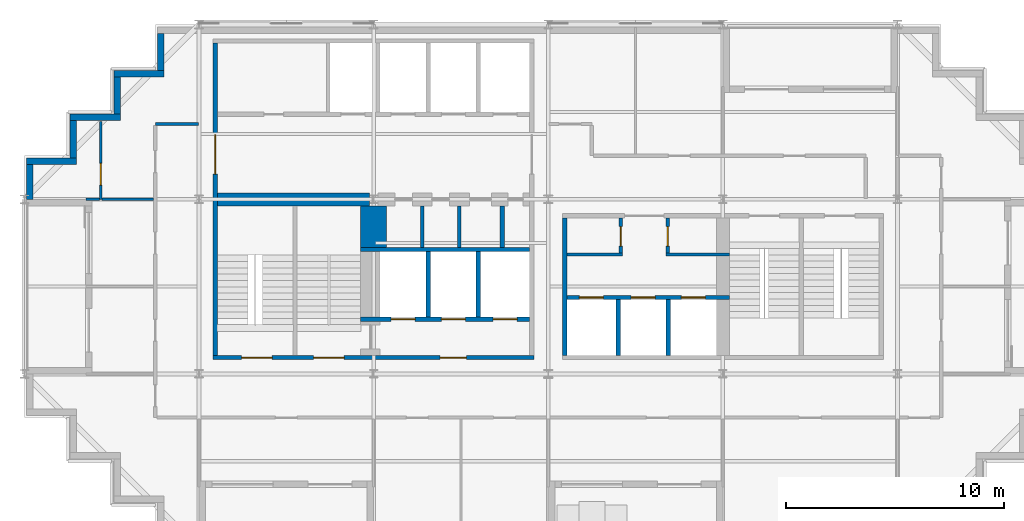
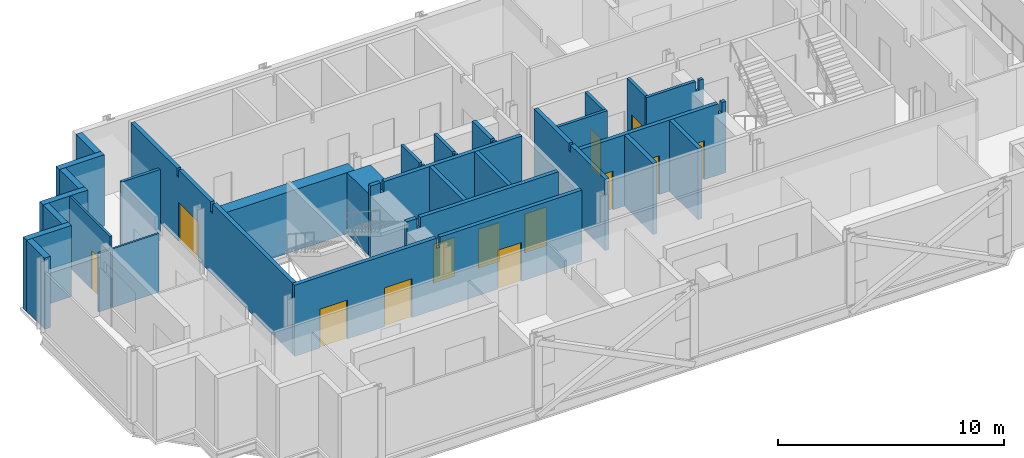
# One storey, part 5 of 10: 30 walls, 13 doors, 13 openings.
"""IFC4 building model written with IfcOpenShell, lengths in metres."""

from ifc_helpers import new_model, si_unit, direction, frame, frame_2d, origin, place, context, subcontext, project, spatial, polyline, rectangle, outline, extrude, material, layer, layer_set, type_object, element, fill, save


model = new_model("IFC4")

# Units and contexts
model_context = context("Model", 3, precision=1e-05, world=origin(), true_north=direction((0.0, 1.0)))
body_context = subcontext(model_context, "Body", "Model", "MODEL_VIEW")
ifc_project = project(units=[si_unit("LENGTHUNIT", "METRE"), si_unit("AREAUNIT", "SQUARE_METRE"), si_unit("VOLUMEUNIT", "CUBIC_METRE"), si_unit("PLANEANGLEUNIT", "RADIAN"), si_unit("MASSUNIT", "GRAM", prefix="KILO")], contexts=[model_context])

# Site, building, storey
site_placement = place(None, origin())
site = spatial("IfcSite", under=ifc_project, at=site_placement, CompositionType="ELEMENT")
building_placement = place(site_placement, origin())
building = spatial("IfcBuilding", under=site, at=building_placement, Name="Immortelle Media Tower", CompositionType="ELEMENT")
storey_placement = place(building_placement, frame((0.0, 0.0, 221.0)))
storey = spatial("IfcBuildingStorey", under=building, at=storey_placement, Name="L47", CompositionType="ELEMENT", Elevation=221.0)

# Walls
ifc_material_1 = material(Name="Fire-rated gypsum board", Category="gypsum")
ifc_layer_1 = layer(ifc_material_1, 0.02490234375)
ifc_material_2 = material(Name="Steel ASTM A653 SS Gr 50 stud frame with mineral wool", Category="steel")
ifc_layer_2 = layer(ifc_material_2, 0.10009765625)
ifc_layer_3 = layer(ifc_material_1, 0.02490234375)
ifc_layer_set_1 = layer_set([ifc_layer_1, ifc_layer_2, ifc_layer_3], Name="Steel ASTM A653 SS Gr 50 stud frame with mineral wool")
wall_type_1 = type_object("IfcWallType", Name="Core partition 150", PredefinedType="PARTITIONING", material=ifc_layer_set_1)
for number, where, z_axis, x_axis, name in (
    (1, (18.22509765625, 13.800048828125, 0.0), (0.0, 0.0, 1.0), (0.0, 1.0, 0.0), "Core partition SW"),
    (2, (19.925048828125, 13.800048828125, 0.0), (0.0, 0.0, 1.0), (0.0, 1.0, 0.0), "Core partition SW"),
):
    element("IfcWall", number, at=place(storey_placement, frame(where, z_axis=z_axis, x_axis=x_axis)), inside=storey, type_object=wall_type_1, Name=name, PredefinedType="PARTITIONING", context=body_context, shape_type="SweptSolid", body=[
        extrude(outline(polyline([(0.0, 0.0), (1.89990234375, 0.0), (1.89990234375, 3.85009765625), (0.27490234375, 3.85009765625), (0.27392578125, 3.43994140625), (0.1259765625, 3.43994140625), (0.125, 3.85009765625), (0.0, 3.85009765625), (0.0, 0.0)])), frame((0.0, 0.074951171875, 0.0), z_axis=(0.0, -1.0, 0.0), x_axis=(1.0, 0.0, 0.0)), (0.0, 0.0, 1.0), 0.14990234375),
    ])
wall_1_placement = place(storey_placement, frame((24.85009765625, 13.47509765625, 0.0), z_axis=(0.0, 0.0, 1.0), x_axis=(1.0, 0.0, 0.0)))
element("IfcWall", 3, at=wall_1_placement, inside=storey, type_object=wall_type_1, Name="Core partition SE", PredefinedType="PARTITIONING", context=body_context, shape_type="SweptSolid", body=[
    extrude(rectangle(XDim=2.5498046875, YDim=0.14990234375, at=frame_2d((1.27490234375, 0.0))), origin(), (0.0, 0.0, 1.0), 3.85009765625),
])

# Wall, opening, door
wall_2_placement = place(storey_placement, frame((27.324951171875, 13.550048828125, 0.0), z_axis=(0.0, 0.0, 1.0), x_axis=(0.0, 1.0, 0.0)))
wall_2 = element("IfcWall", 4, at=wall_2_placement, inside=storey, type_object=wall_type_1, Name="Core partition SE", PredefinedType="PARTITIONING", context=body_context, shape_type="SweptSolid", body=[
    extrude(rectangle(XDim=1.599853515625, YDim=0.14990234375, at=frame_2d((0.7998046875, 0.0))), origin(), (0.0, 0.0, 1.0), 3.85009765625),
])
opening_1_placement = place(wall_2_placement, frame((0.300048828125, 0.0, 0.0)))
opening_1 = element("IfcOpeningElement", 5, at=opening_1_placement, cuts=wall_2, Name="Opening O4-K021", PredefinedType="OPENING", context=body_context, shape_type="SweptSolid", body=[
    extrude(rectangle(XDim=0.89990234375, YDim=2.10009765625, at=frame_2d((0.449951171875, 1.050048828125))), frame((0.0, 0.0849609375, 0.0), z_axis=(0.0, -1.0, 0.0), x_axis=(1.0, 0.0, 0.0)), (0.0, 0.0, 1.0), 0.169921875),
])
ifc_material_3 = material(Name="Galvanised steel door leaf and frame ASTM A653", Category="steel")
door_type_1 = type_object("IfcDoorType", Name="Service door 900 x 2100", OperationType="NOTDEFINED", PredefinedType="NOTDEFINED", material=ifc_material_3)
door_1_placement = place(opening_1_placement, origin())
door_1 = element("IfcDoor", 6, at=door_1_placement, inside=storey, type_object=door_type_1, Name="Service O4-K021", OperationType="SINGLE_SWING_LEFT", OverallHeight=2.10009765625, OverallWidth=0.89990234375, PredefinedType="NOTDEFINED", context=body_context, shape_type="SweptSolid", body=[
    extrude(rectangle(XDim=0.89990234375, YDim=2.10009765625, at=frame_2d((0.449951171875, 1.050048828125))), frame((0.0, 0.02490234375, 0.0), z_axis=(0.0, -1.0, 0.0), x_axis=(1.0, 0.0, 0.0)), (0.0, 0.0, 1.0), 0.050048828125),
])
fill(opening_1, door_1)

# Wall
wall_3_placement = place(storey_placement, frame((29.39990234375, 13.47509765625, 0.0), z_axis=(0.0, 0.0, 1.0), x_axis=(1.0, 0.0, 0.0)))
element("IfcWall", 7, at=wall_3_placement, inside=storey, type_object=wall_type_1, Name="Core partition SE", PredefinedType="PARTITIONING", context=body_context, shape_type="SweptSolid", body=[
    extrude(outline(polyline([(0.0, 0.0), (2.900146484375, 0.0), (2.89990234375, 3.85009765625), (2.6884765625, 3.85009765625), (2.6875, 3.30810546875), (2.512451171875, 3.30810546875), (2.511474609375, 3.85009765625), (0.0, 3.85009765625), (0.0, 0.0)])), frame((0.0, 0.074951171875, 0.0), z_axis=(0.0, -1.0, 0.0), x_axis=(1.0, 0.0, 0.0)), (0.0, 0.0, 1.0), 0.14990234375),
])

# Wall, opening, door
wall_4_placement = place(storey_placement, frame((29.47509765625, 13.550048828125, 0.0), z_axis=(0.0, 0.0, 1.0), x_axis=(0.0, 1.0, 0.0)))
wall_4 = element("IfcWall", 8, at=wall_4_placement, inside=storey, type_object=wall_type_1, Name="Core partition SE", PredefinedType="PARTITIONING", context=body_context, shape_type="SweptSolid", body=[
    extrude(rectangle(XDim=1.599853515625, YDim=0.14990234375, at=frame_2d((0.7998046875, 0.0))), origin(), (0.0, 0.0, 1.0), 3.85009765625),
])
opening_2_placement = place(wall_4_placement, frame((1.199951171875, 0.0, 0.0), z_axis=(0.0, 0.0, 1.0), x_axis=(-1.0, 0.0, 0.0)))
opening_2 = element("IfcOpeningElement", 9, at=opening_2_placement, cuts=wall_4, Name="Opening O4-K030", PredefinedType="OPENING", context=body_context, shape_type="SweptSolid", body=[
    extrude(rectangle(XDim=0.89990234375, YDim=2.10009765625, at=frame_2d((0.449951171875, 1.050048828125))), frame((0.0, 0.0849609375, 0.0), z_axis=(0.0, -1.0, 0.0), x_axis=(1.0, 0.0, 0.0)), (0.0, 0.0, 1.0), 0.169921875),
])
ifc_material_4 = material(Name="Timber", Category="wood")
door_type_2 = type_object("IfcDoorType", Name="Room door 900 x 2100", OperationType="NOTDEFINED", PredefinedType="NOTDEFINED", material=ifc_material_4)
door_2_placement = place(opening_2_placement, origin())
door_2 = element("IfcDoor", 10, at=door_2_placement, inside=storey, type_object=door_type_2, Name="Room O4-K030", OperationType="SINGLE_SWING_RIGHT", OverallHeight=2.10009765625, OverallWidth=0.89990234375, PredefinedType="NOTDEFINED", context=body_context, shape_type="SweptSolid", body=[
    extrude(rectangle(XDim=0.89990234375, YDim=2.10009765625, at=frame_2d((0.449951171875, 1.050048828125))), frame((0.0, 0.02490234375, 0.0), z_axis=(0.0, -1.0, 0.0), x_axis=(1.0, 0.0, 0.0)), (0.0, 0.0, 1.0), 0.050048828125),
])
fill(opening_2, door_2)

# Wall, openings, doors
ifc_layer_4 = layer(ifc_material_1, 0.03759765625)
ifc_layer_5 = layer(ifc_material_2, 0.125)
ifc_layer_6 = layer(ifc_material_1, 0.03759765625)
ifc_layer_set_2 = layer_set([ifc_layer_4, ifc_layer_5, ifc_layer_6], Name="Steel ASTM A653 SS Gr 50 stud frame with mineral wool")
wall_type_2 = type_object("IfcWallType", Name="Core shaft wall 200", PredefinedType="PARTITIONING", material=ifc_layer_set_2)
wall_5_placement = place(storey_placement, frame((15.39990234375, 10.5, 0.0), z_axis=(0.0, 0.0, 1.0), x_axis=(1.0, 0.0, 0.0)))
wall_5 = element("IfcWall", 11, at=wall_5_placement, inside=storey, type_object=wall_type_2, Name="Core shaft wall SW", PredefinedType="PARTITIONING", context=body_context, shape_type="SweptSolid", body=[
    extrude(outline(polyline([(0.0, 0.0), (7.75, 0.0), (7.75, 3.85009765625), (0.6884765625, 3.85009765625), (0.6875, 3.30810546875), (0.512451171875, 3.30810546875), (0.511474609375, 3.85009765625), (0.0, 3.85009765625), (0.0, 0.0)])), frame((0.0, 0.10009765625, 0.0), z_axis=(0.0, -1.0, 0.0), x_axis=(1.0, 0.0, 0.0)), (0.0, 0.0, 1.0), 0.199951171875),
])
opening_3_placement = place(wall_5_placement, frame((1.39990234375, 0.0, 0.0)))
opening_3 = element("IfcOpeningElement", 12, at=opening_3_placement, cuts=wall_5, Name="Opening LD", PredefinedType="OPENING", context=body_context, shape_type="SweptSolid", body=[
    extrude(rectangle(XDim=1.10009765625, YDim=2.10009765625, at=frame_2d((0.550048828125, 1.050048828125))), frame((0.0, 0.10986328125, 0.0), z_axis=(0.0, -1.0, 0.0), x_axis=(1.0, 0.0, 0.0)), (0.0, 0.0, 1.0), 0.219970703125),
])
opening_4_placement = place(wall_5_placement, frame((3.699951171875, 0.0, 0.0)))
opening_4 = element("IfcOpeningElement", 13, at=opening_4_placement, cuts=wall_5, Name="Opening LD", PredefinedType="OPENING", context=body_context, shape_type="SweptSolid", body=[
    extrude(rectangle(XDim=1.10009765625, YDim=2.10009765625, at=frame_2d((0.550048828125, 1.050048828125))), frame((0.0, 0.10986328125, 0.0), z_axis=(0.0, -1.0, 0.0), x_axis=(1.0, 0.0, 0.0)), (0.0, 0.0, 1.0), 0.219970703125),
])
opening_5_placement = place(wall_5_placement, frame((6.074951171875, 0.0, 0.0)))
opening_5 = element("IfcOpeningElement", 14, at=opening_5_placement, cuts=wall_5, Name="Opening LD", PredefinedType="OPENING", context=body_context, shape_type="SweptSolid", body=[
    extrude(rectangle(XDim=1.10009765625, YDim=2.10009765625, at=frame_2d((0.550048828125, 1.050048828125))), frame((0.0, 0.10986328125, 0.0), z_axis=(0.0, -1.0, 0.0), x_axis=(1.0, 0.0, 0.0)), (0.0, 0.0, 1.0), 0.219970703125),
])
ifc_material_5 = material(Name="Stainless steel AISI 304", Category="steel")
door_type_3 = type_object("IfcDoorType", Name="Landing door 1100 x 2100", OperationType="SLIDING_TO_LEFT", PredefinedType="NOTDEFINED", material=ifc_material_5)
door_3_placement = place(opening_3_placement, origin())
door_3 = element("IfcDoor", 15, at=door_3_placement, inside=storey, type_object=door_type_3, Name="Landing door FF1 L47", OperationType="SLIDING_TO_LEFT", OverallHeight=2.10009765625, OverallWidth=1.10009765625, PredefinedType="NOTDEFINED", context=body_context, shape_type="SweptSolid", body=[
    extrude(rectangle(XDim=1.10009765625, YDim=2.10009765625, at=frame_2d((0.550048828125, 1.050048828125))), frame((0.0, 0.02490234375, 0.0), z_axis=(0.0, -1.0, 0.0), x_axis=(1.0, 0.0, 0.0)), (0.0, 0.0, 1.0), 0.050048828125),
])
fill(opening_3, door_3)
door_4_placement = place(opening_4_placement, origin())
door_4 = element("IfcDoor", 16, at=door_4_placement, inside=storey, type_object=door_type_3, Name="Landing door FF2 L47", OperationType="SLIDING_TO_LEFT", OverallHeight=2.10009765625, OverallWidth=1.10009765625, PredefinedType="NOTDEFINED", context=body_context, shape_type="SweptSolid", body=[
    extrude(rectangle(XDim=1.10009765625, YDim=2.10009765625, at=frame_2d((0.550048828125, 1.050048828125))), frame((0.0, 0.02490234375, 0.0), z_axis=(0.0, -1.0, 0.0), x_axis=(1.0, 0.0, 0.0)), (0.0, 0.0, 1.0), 0.050048828125),
])
fill(opening_4, door_4)
door_5_placement = place(opening_5_placement, origin())
door_5 = element("IfcDoor", 17, at=door_5_placement, inside=storey, type_object=door_type_3, Name="Landing door FF3 L47", OperationType="SLIDING_TO_LEFT", OverallHeight=2.10009765625, OverallWidth=1.10009765625, PredefinedType="NOTDEFINED", context=body_context, shape_type="SweptSolid", body=[
    extrude(rectangle(XDim=1.10009765625, YDim=2.10009765625, at=frame_2d((0.550048828125, 1.050048828125))), frame((0.0, 0.02490234375, 0.0), z_axis=(0.0, -1.0, 0.0), x_axis=(1.0, 0.0, 0.0)), (0.0, 0.0, 1.0), 0.050048828125),
])
fill(opening_5, door_5)

# Walls
wall_6_placement = place(storey_placement, frame((15.39990234375, 13.699951171875, 0.0), z_axis=(0.0, 0.0, 1.0), x_axis=(1.0, 0.0, 0.0)))
element("IfcWall", 18, at=wall_6_placement, inside=storey, type_object=wall_type_2, Name="Core shaft wall SW", PredefinedType="PARTITIONING", context=body_context, shape_type="SweptSolid", body=[
    extrude(outline(polyline([(0.0, 0.0), (7.75, 0.0), (7.75, 3.85009765625), (0.6884765625, 3.85009765625), (0.6875, 3.30810546875), (0.512451171875, 3.30810546875), (0.511474609375, 3.85009765625), (0.0, 3.85009765625), (0.0, 0.0)])), frame((0.0, 0.10009765625, 0.0), z_axis=(0.0, -1.0, 0.0), x_axis=(1.0, 0.0, 0.0)), (0.0, 0.0, 1.0), 0.199951171875),
])
for number, where, z_axis, x_axis, name in (
    (19, (18.5, 10.60009765625, 0.0), (0.0, 0.0, 1.0), (0.0, 1.0, 0.0), "Core shaft wall SW"),
    (20, (20.800048828125, 10.60009765625, 0.0), (0.0, 0.0, 1.0), (0.0, 1.0, 0.0), "Core shaft wall SW"),
):
    element("IfcWall", number, at=place(storey_placement, frame(where, z_axis=z_axis, x_axis=x_axis)), inside=storey, type_object=wall_type_2, Name=name, PredefinedType="PARTITIONING", context=body_context, shape_type="SweptSolid", body=[
        extrude(rectangle(XDim=3.0, YDim=0.199951171875, at=frame_2d((1.5, 0.0))), origin(), (0.0, 0.0, 1.0), 3.85009765625),
    ])
wall_7_placement = place(storey_placement, frame((21.89990234375, 13.800048828125, 0.0), z_axis=(0.0, 0.0, 1.0), x_axis=(0.0, 1.0, 0.0)))
element("IfcWall", 21, at=wall_7_placement, inside=storey, type_object=wall_type_2, Name="Core shaft wall SW", PredefinedType="PARTITIONING", context=body_context, shape_type="SweptSolid", body=[
    extrude(outline(polyline([(0.0, 0.0), (1.89990234375, 0.0), (1.89990234375, 3.85009765625), (0.27490234375, 3.85009765625), (0.27392578125, 3.43994140625), (0.1259765625, 3.43994140625), (0.125, 3.85009765625), (0.0, 3.85009765625), (0.0, 0.0)])), frame((0.0, 0.10009765625, 0.0), z_axis=(0.0, -1.0, 0.0), x_axis=(1.0, 0.0, 0.0)), (0.0, 0.0, 1.0), 0.199951171875),
])
wall_8_placement = place(storey_placement, frame((24.75, 8.85009765625, 0.0), z_axis=(0.0, 0.0, 1.0), x_axis=(0.0, 1.0, 0.0)))
element("IfcWall", 22, at=wall_8_placement, inside=storey, type_object=wall_type_2, Name="Core shaft wall SE", PredefinedType="PARTITIONING", context=body_context, shape_type="SweptSolid", body=[
    extrude(outline(polyline([(0.0, 0.0), (6.2998046875, 0.0), (6.300048828125, 3.85009765625), (3.22509765625, 3.85009765625), (3.22412109375, 3.43994140625), (3.075927734375, 3.43994140625), (3.074951171875, 3.85009765625), (0.0, 3.85009765625), (0.0, 0.0)])), frame((0.0, 0.10009765625, 0.0), z_axis=(0.0, -1.0, 0.0), x_axis=(1.0, 0.0, 0.0)), (0.0, 0.0, 1.0), 0.199951171875),
])

# Wall, openings, doors
wall_9_placement = place(storey_placement, frame((24.85009765625, 11.5, 0.0), z_axis=(0.0, 0.0, 1.0), x_axis=(1.0, 0.0, 0.0)))
wall_9 = element("IfcWall", 23, at=wall_9_placement, inside=storey, type_object=wall_type_2, Name="Core shaft wall SE", PredefinedType="PARTITIONING", context=body_context, shape_type="SweptSolid", body=[
    extrude(outline(polyline([(0.0, 0.0), (7.449951171875, 0.0), (7.449951171875, 3.85009765625), (7.238525390625, 3.85009765625), (7.237548828125, 3.30810546875), (7.0625, 3.30810546875), (7.0615234375, 3.85009765625), (0.0, 3.85009765625), (0.0, 0.0)])), frame((0.0, 0.10009765625, 0.0), z_axis=(0.0, -1.0, 0.0), x_axis=(1.0, 0.0, 0.0)), (0.0, 0.0, 1.0), 0.199951171875),
])
opening_6_placement = place(wall_9_placement, frame((0.574951171875, 0.0, 0.0)))
opening_6 = element("IfcOpeningElement", 24, at=opening_6_placement, cuts=wall_9, Name="Opening LD", PredefinedType="OPENING", context=body_context, shape_type="SweptSolid", body=[
    extrude(rectangle(XDim=1.10009765625, YDim=2.10009765625, at=frame_2d((0.550048828125, 1.050048828125))), frame((0.0, 0.10986328125, 0.0), z_axis=(0.0, -1.0, 0.0), x_axis=(1.0, 0.0, 0.0)), (0.0, 0.0, 1.0), 0.219970703125),
])
opening_7_placement = place(wall_9_placement, frame((2.949951171875, 0.0, 0.0)))
opening_7 = element("IfcOpeningElement", 25, at=opening_7_placement, cuts=wall_9, Name="Opening LD", PredefinedType="OPENING", context=body_context, shape_type="SweptSolid", body=[
    extrude(rectangle(XDim=1.10009765625, YDim=2.10009765625, at=frame_2d((0.550048828125, 1.050048828125))), frame((0.0, 0.10986328125, 0.0), z_axis=(0.0, -1.0, 0.0), x_axis=(1.0, 0.0, 0.0)), (0.0, 0.0, 1.0), 0.219970703125),
])
opening_8_placement = place(wall_9_placement, frame((5.25, 0.0, 0.0)))
opening_8 = element("IfcOpeningElement", 26, at=opening_8_placement, cuts=wall_9, Name="Opening LD", PredefinedType="OPENING", context=body_context, shape_type="SweptSolid", body=[
    extrude(rectangle(XDim=1.10009765625, YDim=2.10009765625, at=frame_2d((0.550048828125, 1.050048828125))), frame((0.0, 0.10986328125, 0.0), z_axis=(0.0, -1.0, 0.0), x_axis=(1.0, 0.0, 0.0)), (0.0, 0.0, 1.0), 0.219970703125),
])
door_6_placement = place(opening_6_placement, origin())
door_6 = element("IfcDoor", 27, at=door_6_placement, inside=storey, type_object=door_type_3, Name="Landing door HS1 L47", OperationType="SLIDING_TO_LEFT", OverallHeight=2.10009765625, OverallWidth=1.10009765625, PredefinedType="NOTDEFINED", context=body_context, shape_type="SweptSolid", body=[
    extrude(rectangle(XDim=1.10009765625, YDim=2.10009765625, at=frame_2d((0.550048828125, 1.050048828125))), frame((0.0, 0.02490234375, 0.0), z_axis=(0.0, -1.0, 0.0), x_axis=(1.0, 0.0, 0.0)), (0.0, 0.0, 1.0), 0.050048828125),
])
fill(opening_6, door_6)
door_7_placement = place(opening_7_placement, origin())
door_7 = element("IfcDoor", 28, at=door_7_placement, inside=storey, type_object=door_type_3, Name="Landing door HS2 L47", OperationType="SLIDING_TO_LEFT", OverallHeight=2.10009765625, OverallWidth=1.10009765625, PredefinedType="NOTDEFINED", context=body_context, shape_type="SweptSolid", body=[
    extrude(rectangle(XDim=1.10009765625, YDim=2.10009765625, at=frame_2d((0.550048828125, 1.050048828125))), frame((0.0, 0.02490234375, 0.0), z_axis=(0.0, -1.0, 0.0), x_axis=(1.0, 0.0, 0.0)), (0.0, 0.0, 1.0), 0.050048828125),
])
fill(opening_7, door_7)
door_8_placement = place(opening_8_placement, origin())
door_8 = element("IfcDoor", 29, at=door_8_placement, inside=storey, type_object=door_type_3, Name="Landing door HS3 L47", OperationType="SLIDING_TO_LEFT", OverallHeight=2.10009765625, OverallWidth=1.10009765625, PredefinedType="NOTDEFINED", context=body_context, shape_type="SweptSolid", body=[
    extrude(rectangle(XDim=1.10009765625, YDim=2.10009765625, at=frame_2d((0.550048828125, 1.050048828125))), frame((0.0, 0.02490234375, 0.0), z_axis=(0.0, -1.0, 0.0), x_axis=(1.0, 0.0, 0.0)), (0.0, 0.0, 1.0), 0.050048828125),
])
fill(opening_8, door_8)

# Walls
for number, where, z_axis, x_axis, name in (
    (30, (27.199951171875, 8.85009765625, 0.0), (0.0, 0.0, 1.0), (0.0, 1.0, 0.0), "Core shaft wall SE"),
    (31, (29.5, 8.85009765625, 0.0), (0.0, 0.0, 1.0), (0.0, 1.0, 0.0), "Core shaft wall SE"),
):
    element("IfcWall", number, at=place(storey_placement, frame(where, z_axis=z_axis, x_axis=x_axis)), inside=storey, type_object=wall_type_2, Name=name, PredefinedType="PARTITIONING", context=body_context, shape_type="SweptSolid", body=[
        extrude(rectangle(XDim=2.5498046875, YDim=0.199951171875, at=frame_2d((1.27490234375, 0.0))), origin(), (0.0, 0.0, 1.0), 3.85009765625),
    ])
ifc_layer_7 = layer(ifc_material_1, 0.012451171875)
ifc_layer_8 = layer(ifc_material_2, 0.125)
ifc_layer_9 = layer(ifc_material_1, 0.012451171875)
ifc_layer_set_3 = layer_set([ifc_layer_7, ifc_layer_8, ifc_layer_9], Name="Steel ASTM A653 SS Gr 50 stud frame with mineral wool")
wall_type_3 = type_object("IfcWallType", Name="Corridor wall 150", PredefinedType="PARTITIONING", material=ifc_layer_set_3)
wall_10_placement = place(storey_placement, frame((6.0, 19.449951171875, 0.0), z_axis=(0.0, 0.0, 1.0), x_axis=(1.0, 0.0, 0.0)))
element("IfcWall", 32, at=wall_10_placement, inside=storey, type_object=wall_type_3, Name="Partition L47-026", PredefinedType="PARTITIONING", context=body_context, shape_type="SweptSolid", body=[
    extrude(rectangle(XDim=1.969970703125, YDim=0.14990234375, at=frame_2d((0.98486328125, 0.0))), origin(), (0.0, 0.0, 1.0), 3.85009765625),
])
ifc_material_6 = material(Name="Pale aluminium cladding panel", Category="aluminium")
ifc_layer_10 = layer(ifc_material_6, 0.030029296875)
ifc_layer_11 = layer(ifc_material_2, 0.257568359375)
ifc_material_7 = material(Name="Moisture-resistant gypsum board", Category="gypsum")
ifc_layer_12 = layer(ifc_material_7, 0.012451171875)
ifc_layer_set_4 = layer_set([ifc_layer_10, ifc_layer_11, ifc_layer_12], Name="Steel ASTM A653 SS Gr 50 stud frame with mineral wool")
wall_type_4 = type_object("IfcWallType", Name="Facade wall 300", PredefinedType="SOLIDWALL", material=ifc_layer_set_4)
wall_11_placement = place(storey_placement, frame((6.25, 23.60009765625, 0.0), z_axis=(0.0, 0.0, 1.0), x_axis=(0.0, -1.0, 0.0)))
element("IfcWall", 33, at=wall_11_placement, inside=storey, type_object=wall_type_4, Name="Facade wall L47 W21", PredefinedType="SOLIDWALL", context=body_context, shape_type="SweptSolid", body=[
    extrude(rectangle(XDim=1.7001953125, YDim=0.300048828125, at=frame_2d((0.85009765625, 0.0))), origin(), (0.0, 0.0, 1.0), 3.85009765625),
])
wall_12_placement = place(storey_placement, frame((6.39990234375, 21.75, 0.0), z_axis=(0.0, 0.0, 1.0), x_axis=(-1.0, 0.0, 0.0)))
element("IfcWall", 34, at=wall_12_placement, inside=storey, type_object=wall_type_4, Name="Facade wall L47 N22", PredefinedType="SOLIDWALL", context=body_context, shape_type="SweptSolid", body=[
    extrude(rectangle(XDim=2.2998046875, YDim=0.300048828125, at=frame_2d((1.14990234375, 0.0))), origin(), (0.0, 0.0, 1.0), 3.85009765625),
])
wall_13_placement = place(storey_placement, frame((4.25, 21.60009765625, 0.0), z_axis=(0.0, 0.0, 1.0), x_axis=(0.0, -1.0, 0.0)))
element("IfcWall", 35, at=wall_13_placement, inside=storey, type_object=wall_type_4, Name="Facade wall L47 W23", PredefinedType="SOLIDWALL", context=body_context, shape_type="SweptSolid", body=[
    extrude(rectangle(XDim=1.7001953125, YDim=0.300048828125, at=frame_2d((0.85009765625, 0.0))), origin(), (0.0, 0.0, 1.0), 3.85009765625),
])
wall_14_placement = place(storey_placement, frame((4.39990234375, 19.75, 0.0), z_axis=(0.0, 0.0, 1.0), x_axis=(-1.0, 0.0, 0.0)))
element("IfcWall", 36, at=wall_14_placement, inside=storey, type_object=wall_type_4, Name="Facade wall L47 N24", PredefinedType="SOLIDWALL", context=body_context, shape_type="SweptSolid", body=[
    extrude(rectangle(XDim=2.2998046875, YDim=0.300048828125, at=frame_2d((1.14990234375, 0.0))), origin(), (0.0, 0.0, 1.0), 3.85009765625),
])
wall_15_placement = place(storey_placement, frame((2.25, 19.60009765625, 0.0), z_axis=(0.0, 0.0, 1.0), x_axis=(0.0, -1.0, 0.0)))
element("IfcWall", 37, at=wall_15_placement, inside=storey, type_object=wall_type_4, Name="Facade wall L47 W25", PredefinedType="SOLIDWALL", context=body_context, shape_type="SweptSolid", body=[
    extrude(rectangle(XDim=1.7001953125, YDim=0.300048828125, at=frame_2d((0.85009765625, 0.0))), origin(), (0.0, 0.0, 1.0), 3.85009765625),
])
wall_16_placement = place(storey_placement, frame((2.39990234375, 17.75, 0.0), z_axis=(0.0, 0.0, 1.0), x_axis=(-1.0, 0.0, 0.0)))
element("IfcWall", 38, at=wall_16_placement, inside=storey, type_object=wall_type_4, Name="Facade wall L47 N26", PredefinedType="SOLIDWALL", context=body_context, shape_type="SweptSolid", body=[
    extrude(rectangle(XDim=2.2998046875, YDim=0.300048828125, at=frame_2d((1.14990234375, 0.0))), origin(), (0.0, 0.0, 1.0), 3.85009765625),
])
wall_17_placement = place(storey_placement, frame((0.25, 17.60009765625, 0.0), z_axis=(0.0, 0.0, 1.0), x_axis=(0.0, -1.0, 0.0)))
element("IfcWall", 39, at=wall_17_placement, inside=storey, type_object=wall_type_4, Name="Facade wall L47 W27", PredefinedType="SOLIDWALL", context=body_context, shape_type="SweptSolid", body=[
    extrude(rectangle(XDim=1.60009765625, YDim=0.300048828125, at=frame_2d((0.800048828125, 0.0))), origin(), (0.0, 0.0, 1.0), 3.85009765625),
])
ifc_material_8 = material(Name="Gypsum board", Category="gypsum")
ifc_layer_13 = layer(ifc_material_8, 0.012451171875)
ifc_layer_14 = layer(ifc_material_2, 0.074951171875)
ifc_layer_15 = layer(ifc_material_8, 0.012451171875)
ifc_layer_set_5 = layer_set([ifc_layer_13, ifc_layer_14, ifc_layer_15], Name="Steel ASTM A653 SS Gr 50 stud frame with mineral wool")
wall_type_5 = type_object("IfcWallType", Name="Partition 100", PredefinedType="PARTITIONING", material=ifc_layer_set_5)
wall_18_placement = place(storey_placement, frame((2.830078125, 16.0, 0.0), z_axis=(0.0, 0.0, 1.0), x_axis=(1.0, 0.0, 0.0)))
element("IfcWall", 40, at=wall_18_placement, inside=storey, type_object=wall_type_5, Name="Partition L47-014", PredefinedType="PARTITIONING", context=body_context, shape_type="SweptSolid", body=[
    extrude(rectangle(XDim=0.619873046875, YDim=0.10009765625, at=frame_2d((0.31005859375, 0.0))), origin(), (0.0, 0.0, 1.0), 3.172119140625),
])
wall_19_placement = place(storey_placement, frame((3.550048828125, 16.0, 0.0), z_axis=(0.0, 0.0, 1.0), x_axis=(1.0, 0.0, 0.0)))
element("IfcWall", 41, at=wall_19_placement, inside=storey, type_object=wall_type_5, Name="Partition L47-015", PredefinedType="PARTITIONING", context=body_context, shape_type="SweptSolid", body=[
    extrude(rectangle(XDim=2.375, YDim=0.10009765625, at=frame_2d((1.1875, 0.0))), origin(), (0.0, 0.0, 1.0), 3.172119140625),
])

# Wall, opening, door
wall_20_placement = place(storey_placement, frame((3.5, 16.0, 0.0), z_axis=(0.0, 0.0, 1.0), x_axis=(0.0, 1.0, 0.0)))
wall_20 = element("IfcWall", 42, at=wall_20_placement, inside=storey, type_object=wall_type_5, Name="Partition L47-016", PredefinedType="PARTITIONING", context=body_context, shape_type="SweptSolid", body=[
    extrude(rectangle(XDim=3.570068359375, YDim=0.10009765625, at=frame_2d((1.78515625, 0.0))), origin(), (0.0, 0.0, 1.0), 3.85009765625),
])
opening_9_placement = place(wall_20_placement, frame((0.64990234375, 0.0, 0.0)))
opening_9 = element("IfcOpeningElement", 43, at=opening_9_placement, cuts=wall_20, Name="Opening O4-F013", PredefinedType="OPENING", context=body_context, shape_type="SweptSolid", body=[
    extrude(rectangle(XDim=1.0, YDim=2.10009765625, at=frame_2d((0.5, 1.050048828125))), frame((0.0, 0.06005859375, 0.0), z_axis=(0.0, -1.0, 0.0), x_axis=(1.0, 0.0, 0.0)), (0.0, 0.0, 1.0), 0.1201171875),
])
ifc_material_9 = material(Name="Timber veneered door leaf, galvanised steel frame ASTM A653", Category="steel")
door_type_4 = type_object("IfcDoorType", Name="Room door 1000 x 2100", OperationType="NOTDEFINED", PredefinedType="DOOR", material=ifc_material_9)
door_9_placement = place(opening_9_placement, origin())
door_9 = element("IfcDoor", 44, at=door_9_placement, inside=storey, type_object=door_type_4, Name="Door O4-F013", OperationType="SINGLE_SWING_LEFT", OverallHeight=2.10009765625, OverallWidth=1.0, PredefinedType="DOOR", context=body_context, shape_type="SweptSolid", body=[
    extrude(rectangle(XDim=1.0, YDim=2.10009765625, at=frame_2d((0.5, 1.050048828125))), frame((0.0, 0.02490234375, 0.0), z_axis=(0.0, -1.0, 0.0), x_axis=(1.0, 0.0, 0.0)), (0.0, 0.0, 1.0), 0.050048828125),
])
fill(opening_9, door_9)

# Wall
ifc_material_10 = material(Name="Concrete C60", Category="concrete")
ifc_layer_16 = layer(ifc_material_10, 1.199951171875)
ifc_layer_set_6 = layer_set([ifc_layer_16], Name="Concrete C60")
wall_type_6 = type_object("IfcWallType", Name="Stair shaft wall 1200", PredefinedType="PARTITIONING", material=ifc_layer_set_6)
wall_21_placement = place(storey_placement, frame((16.0, 13.800048828125, 0.0), z_axis=(0.0, 0.0, 1.0), x_axis=(0.0, 1.0, 0.0)))
element("IfcWall", 45, at=wall_21_placement, inside=storey, type_object=wall_type_6, Name="Stair shaft wall SW", PredefinedType="PARTITIONING", context=body_context, shape_type="SweptSolid", body=[
    extrude(rectangle(XDim=1.89990234375, YDim=1.199951171875, at=frame_2d((0.949951171875, 0.0))), origin(), (0.0, 0.0, 1.0), 3.30810546875),
])

# Wall, openings, doors
ifc_layer_17 = layer(ifc_material_10, 0.199951171875)
ifc_layer_set_7 = layer_set([ifc_layer_17], Name="Concrete C60")
wall_type_7 = type_object("IfcWallType", Name="Stair shaft wall 200", PredefinedType="PARTITIONING", material=ifc_layer_set_7)
wall_22_placement = place(storey_placement, frame((8.64990234375, 8.75, 0.0), z_axis=(0.0, 0.0, 1.0), x_axis=(1.0, 0.0, 0.0)))
wall_22 = element("IfcWall", 46, at=wall_22_placement, inside=storey, type_object=wall_type_7, Name="Stair shaft wall SW", PredefinedType="PARTITIONING", context=body_context, shape_type="SweptSolid", body=[
    extrude(outline(polyline([(0.0, 0.0), (14.7001953125, 0.0), (14.699951171875, 3.85009765625), (7.4384765625, 3.85009765625), (7.4375, 3.30810546875), (7.262451171875, 3.30810546875), (7.261474609375, 3.85009765625), (0.0, 3.85009765625), (0.0, 0.0)])), frame((0.0, 0.10009765625, 0.0), z_axis=(0.0, -1.0, 0.0), x_axis=(1.0, 0.0, 0.0)), (0.0, 0.0, 1.0), 0.199951171875),
])
opening_10_placement = place(wall_22_placement, frame((1.300048828125, 0.0, 0.0)))
opening_10 = element("IfcOpeningElement", 47, at=opening_10_placement, cuts=wall_22, Name="Opening O4-K002", PredefinedType="OPENING", context=body_context, shape_type="SweptSolid", body=[
    extrude(rectangle(XDim=1.39990234375, YDim=2.10009765625, at=frame_2d((0.699951171875, 1.050048828125))), frame((0.0, 0.10986328125, 0.0), z_axis=(0.0, -1.0, 0.0), x_axis=(1.0, 0.0, 0.0)), (0.0, 0.0, 1.0), 0.219970703125),
])
opening_11_placement = place(wall_22_placement, frame((4.60009765625, 0.0, 0.0)))
opening_11 = element("IfcOpeningElement", 48, at=opening_11_placement, cuts=wall_22, Name="Opening O4-K005", PredefinedType="OPENING", context=body_context, shape_type="SweptSolid", body=[
    extrude(rectangle(XDim=1.39990234375, YDim=2.10009765625, at=frame_2d((0.699951171875, 1.050048828125))), frame((0.0, 0.10986328125, 0.0), z_axis=(0.0, -1.0, 0.0), x_axis=(1.0, 0.0, 0.0)), (0.0, 0.0, 1.0), 0.219970703125),
])
opening_12_placement = place(wall_22_placement, frame((10.39990234375, 0.0, 0.0)))
opening_12 = element("IfcOpeningElement", 49, at=opening_12_placement, cuts=wall_22, Name="Opening O4-K012", PredefinedType="OPENING", context=body_context, shape_type="SweptSolid", body=[
    extrude(rectangle(XDim=1.199951171875, YDim=2.10009765625, at=frame_2d((0.60009765625, 1.050048828125))), frame((0.0, 0.10986328125, 0.0), z_axis=(0.0, -1.0, 0.0), x_axis=(1.0, 0.0, 0.0)), (0.0, 0.0, 1.0), 0.219970703125),
])
door_type_5 = type_object("IfcDoorType", Name="Fire-fighting lobby door 1200 x 2100", OperationType="NOTDEFINED", PredefinedType="NOTDEFINED", material=ifc_material_3)
door_10_placement = place(opening_12_placement, origin())
door_10 = element("IfcDoor", 50, at=door_10_placement, inside=storey, type_object=door_type_5, Name="Fire-fighting lobby O4-K012", OperationType="SINGLE_SWING_LEFT", OverallHeight=2.10009765625, OverallWidth=1.199951171875, PredefinedType="NOTDEFINED", context=body_context, shape_type="SweptSolid", body=[
    extrude(rectangle(XDim=1.199951171875, YDim=2.10009765625, at=frame_2d((0.60009765625, 1.050048828125))), frame((0.0, 0.02490234375, 0.0), z_axis=(0.0, -1.0, 0.0), x_axis=(1.0, 0.0, 0.0)), (0.0, 0.0, 1.0), 0.050048828125),
])
fill(opening_12, door_10)
door_type_6 = type_object("IfcDoorType", Name="Stair door 1400 x 2100", OperationType="DOUBLE_DOOR_SINGLE_SWING", PredefinedType="NOTDEFINED", material=ifc_material_3)
door_11_placement = place(opening_10_placement, origin())
door_11 = element("IfcDoor", 51, at=door_11_placement, inside=storey, type_object=door_type_6, Name="Stair O4-K002", OperationType="DOUBLE_DOOR_SINGLE_SWING", OverallHeight=2.10009765625, OverallWidth=1.39990234375, PredefinedType="NOTDEFINED", context=body_context, shape_type="SweptSolid", body=[
    extrude(rectangle(XDim=1.39990234375, YDim=2.10009765625, at=frame_2d((0.699951171875, 1.050048828125))), frame((0.0, 0.02490234375, 0.0), z_axis=(0.0, -1.0, 0.0), x_axis=(1.0, 0.0, 0.0)), (0.0, 0.0, 1.0), 0.050048828125),
])
fill(opening_10, door_11)
door_12_placement = place(opening_11_placement, origin())
door_12 = element("IfcDoor", 52, at=door_12_placement, inside=storey, type_object=door_type_6, Name="Stair O4-K005", OperationType="DOUBLE_DOOR_SINGLE_SWING", OverallHeight=2.10009765625, OverallWidth=1.39990234375, PredefinedType="NOTDEFINED", context=body_context, shape_type="SweptSolid", body=[
    extrude(rectangle(XDim=1.39990234375, YDim=2.10009765625, at=frame_2d((0.699951171875, 1.050048828125))), frame((0.0, 0.02490234375, 0.0), z_axis=(0.0, -1.0, 0.0), x_axis=(1.0, 0.0, 0.0)), (0.0, 0.0, 1.0), 0.050048828125),
])
fill(opening_11, door_12)

# Wall, opening, door
wall_23_placement = place(storey_placement, frame((8.75, 8.85009765625, 0.0), z_axis=(0.0, 0.0, 1.0), x_axis=(0.0, 1.0, 0.0)))
wall_23 = element("IfcWall", 53, at=wall_23_placement, inside=storey, type_object=wall_type_7, Name="Stair shaft wall SW", PredefinedType="PARTITIONING", context=body_context, shape_type="SweptSolid", body=[
    extrude(outline(polyline([(0.0, 0.0), (14.2998046875, 0.0), (14.300048828125, 3.85009765625), (10.22509765625, 3.85009765625), (10.22412109375, 3.43994140625), (10.075927734375, 3.43994140625), (10.074951171875, 3.85009765625), (7.238525390625, 3.85009765625), (7.237548828125, 3.30810546875), (7.0625, 3.30810546875), (7.0615234375, 3.85009765625), (0.0, 3.85009765625), (0.0, 0.0)])), frame((0.0, 0.10009765625, 0.0), z_axis=(0.0, -1.0, 0.0), x_axis=(1.0, 0.0, 0.0)), (0.0, 0.0, 1.0), 0.199951171875),
])
opening_13_placement = place(wall_23_placement, frame((8.300048828125, 0.0, 0.0)))
opening_13 = element("IfcOpeningElement", 54, at=opening_13_placement, cuts=wall_23, Name="Opening O4-K001", PredefinedType="OPENING", context=body_context, shape_type="SweptSolid", body=[
    extrude(rectangle(XDim=1.800048828125, YDim=2.10009765625, at=frame_2d((0.89990234375, 1.050048828125))), frame((0.0, 0.10986328125, 0.0), z_axis=(0.0, -1.0, 0.0), x_axis=(1.0, 0.0, 0.0)), (0.0, 0.0, 1.0), 0.219970703125),
])
door_type_7 = type_object("IfcDoorType", Name="Lift lobby door 1800 x 2100", OperationType="DOUBLE_DOOR_SINGLE_SWING", PredefinedType="NOTDEFINED", material=ifc_material_3)
door_13_placement = place(opening_13_placement, origin())
door_13 = element("IfcDoor", 55, at=door_13_placement, inside=storey, type_object=door_type_7, Name="Lift lobby O4-K001", OperationType="DOUBLE_DOOR_SINGLE_SWING", OverallHeight=2.10009765625, OverallWidth=1.800048828125, PredefinedType="NOTDEFINED", context=body_context, shape_type="SweptSolid", body=[
    extrude(rectangle(XDim=1.800048828125, YDim=2.10009765625, at=frame_2d((0.89990234375, 1.050048828125))), frame((0.0, 0.02490234375, 0.0), z_axis=(0.0, -1.0, 0.0), x_axis=(1.0, 0.0, 0.0)), (0.0, 0.0, 1.0), 0.050048828125),
])
fill(opening_13, door_13)

# Wall
ifc_layer_18 = layer(ifc_material_10, 0.60009765625)
ifc_layer_set_8 = layer_set([ifc_layer_18], Name="Concrete C60")
wall_type_8 = type_object("IfcWallType", Name="Stair shaft wall 600", PredefinedType="PARTITIONING", material=ifc_layer_set_8)
wall_24_placement = place(storey_placement, frame((8.85009765625, 16.0, 0.0), z_axis=(0.0, 0.0, 1.0), x_axis=(1.0, 0.0, 0.0)))
element("IfcWall", 56, at=wall_24_placement, inside=storey, type_object=wall_type_8, Name="Stair shaft wall SW", PredefinedType="PARTITIONING", context=body_context, shape_type="SweptSolid", body=[
    extrude(rectangle(XDim=6.953369140625, YDim=0.60009765625, at=frame_2d((3.4765625, 0.0))), origin(), (0.0, 0.0, 1.0), 3.30810546875),
])

save(model, "model.ifc")
